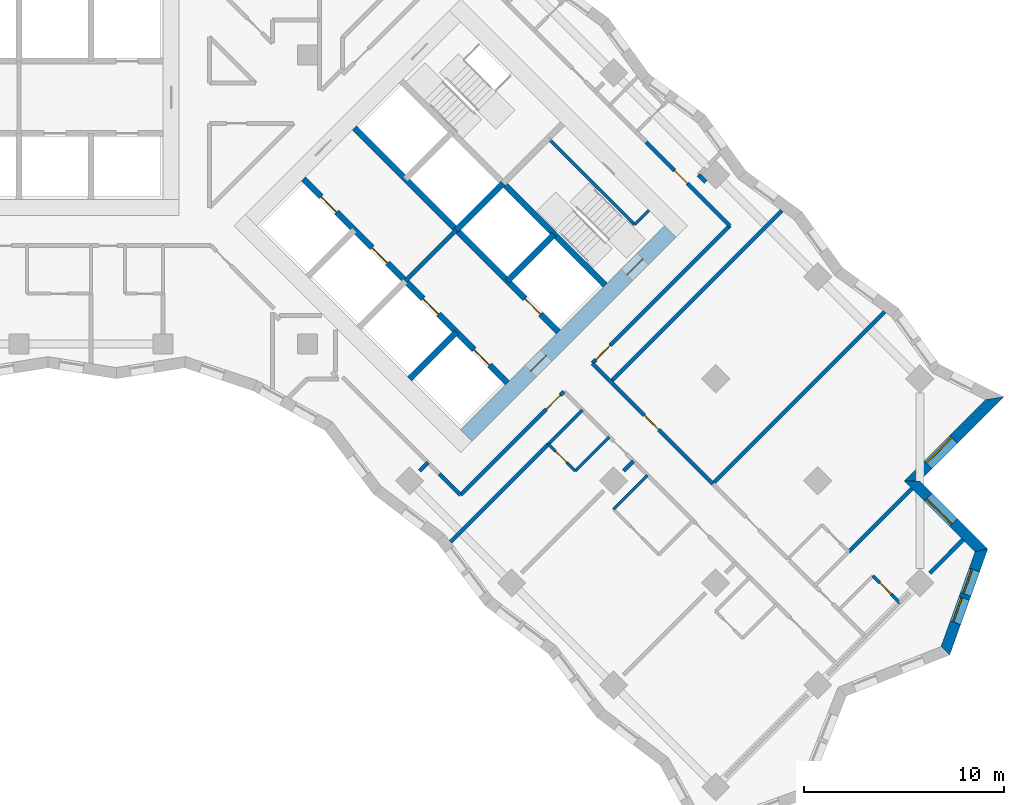
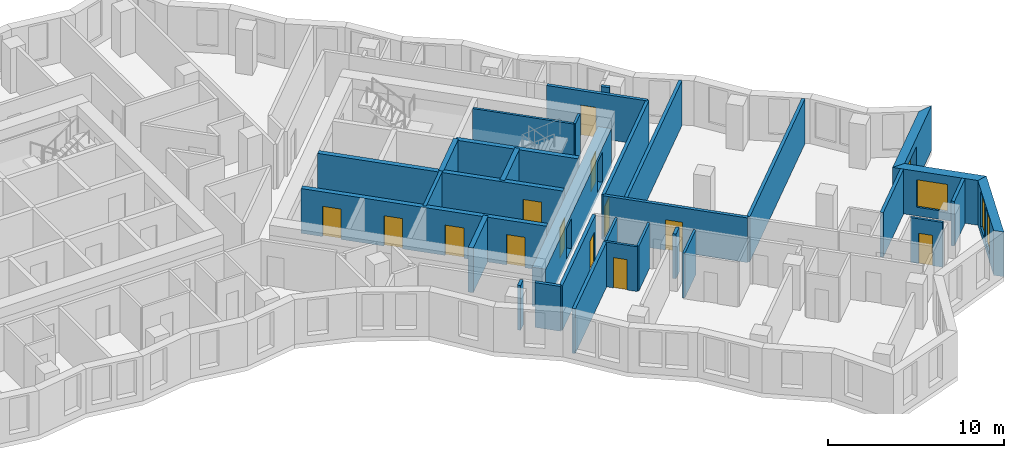
# One storey, part 9 of 13: 31 walls, 13 doors, 4 windows, 17 openings.
"""IFC4 building model written with IfcOpenShell, lengths in metres."""

from ifc_helpers import new_model, si_unit, direction, frame, frame_2d, origin, place, context, subcontext, project, spatial, polyline, rectangle, outline, extrude, material, layer, layer_set, type_object, element, fill, save


model = new_model("IFC4")

# Units and contexts
model_context = context("Model", 3, precision=1e-05, world=origin(), true_north=direction((0.0, 1.0)))
body_context = subcontext(model_context, "Body", "Model", "MODEL_VIEW")
ifc_project = project(units=[si_unit("LENGTHUNIT", "METRE"), si_unit("AREAUNIT", "SQUARE_METRE"), si_unit("VOLUMEUNIT", "CUBIC_METRE"), si_unit("PLANEANGLEUNIT", "RADIAN"), si_unit("MASSUNIT", "GRAM", prefix="KILO")], contexts=[model_context])

# Site, building, storey
site_placement = place(None, origin())
site = spatial("IfcSite", under=ifc_project, at=site_placement, CompositionType="ELEMENT")
building_placement = place(site_placement, origin())
building = spatial("IfcBuilding", under=site, at=building_placement, Name="Windrow Commons", CompositionType="ELEMENT")
storey_placement = place(building_placement, frame((0.0, 0.0, 108.4)))
storey = spatial("IfcBuildingStorey", under=building, at=storey_placement, Name="L29", CompositionType="ELEMENT", Elevation=108.4)

# Wall, openings, windows
ifc_material_1 = material(Name="Brick masonry, red clay brick", Category="masonry")
ifc_layer_1 = layer(ifc_material_1, 0.55)
ifc_layer_set_1 = layer_set([ifc_layer_1], Name="Brick facade wall 550")
wall_type_1 = type_object("IfcWallType", Name="Brick facade wall 550", PredefinedType="SOLIDWALL", material=ifc_layer_set_1)
wall_1_placement = place(storey_placement, frame((111.0253, 27.8846, 0.0), z_axis=(0.0, 0.0, 1.0), x_axis=(0.3376911299, 0.9412569791, 0.0)))
wall_1 = element("IfcWall", 1, at=wall_1_placement, inside=storey, type_object=wall_type_1, Name="Brick facade wall L29 4", PredefinedType="SOLIDWALL", context=body_context, shape_type="SweptSolid", body=[
    extrude(outline(polyline([(-0.1243, -0.275), (5.499, -0.275), (5.1504, 0.275), (0.1243, 0.275), (-0.1243, -0.275)])), origin(), (0.0, 0.0, 1.0), 3.1),
])
opening_1_placement = place(wall_1_placement, frame((1.4849, 0.0, 0.5)))
opening_1 = element("IfcOpeningElement", 2, at=opening_1_placement, cuts=wall_1, Name="Opening W1P", PredefinedType="OPENING", context=body_context, shape_type="SweptSolid", body=[
    extrude(rectangle(XDim=1.3, YDim=2.45, at=frame_2d((0.65, 1.225))), frame((0.0, 0.285, 0.0), z_axis=(0.0, -1.0, 0.0), x_axis=(1.0, 0.0, 0.0)), (0.0, 0.0, 1.0), 0.57),
])
opening_2_placement = place(wall_1_placement, frame((2.9849, 0.0, 0.5)))
opening_2 = element("IfcOpeningElement", 3, at=opening_2_placement, cuts=wall_1, Name="Opening W1P", PredefinedType="OPENING", context=body_context, shape_type="SweptSolid", body=[
    extrude(rectangle(XDim=1.3, YDim=2.45, at=frame_2d((0.65, 1.225))), frame((0.0, 0.285, 0.0), z_axis=(0.0, -1.0, 0.0), x_axis=(1.0, 0.0, 0.0)), (0.0, 0.0, 1.0), 0.57),
])
ifc_material_2 = material(Name="Clear float glass in anodised aluminium frame", Category="aluminium")
window_type_1 = type_object("IfcWindowType", Name="Window W1P pair 1300x2450", PartitioningType="SINGLE_PANEL", PredefinedType="WINDOW", material=ifc_material_2)
window_1_placement = place(opening_1_placement, origin())
window_1 = element("IfcWindow", 4, at=window_1_placement, inside=storey, type_object=window_type_1, Name="Window L29 4.1A", OverallHeight=2.45, OverallWidth=1.3, PartitioningType="SINGLE_PANEL", PredefinedType="WINDOW", context=body_context, shape_type="SweptSolid", body=[
    extrude(rectangle(XDim=1.3, YDim=2.45, at=frame_2d((0.65, 1.225))), frame((0.0, 0.155, 0.0), z_axis=(0.0, -1.0, 0.0), x_axis=(1.0, 0.0, 0.0)), (0.0, 0.0, 1.0), 0.06),
])
fill(opening_1, window_1)
window_2_placement = place(opening_2_placement, origin())
window_2 = element("IfcWindow", 5, at=window_2_placement, inside=storey, type_object=window_type_1, Name="Window L29 4.1B", OverallHeight=2.45, OverallWidth=1.3, PartitioningType="SINGLE_PANEL", PredefinedType="WINDOW", context=body_context, shape_type="SweptSolid", body=[
    extrude(rectangle(XDim=1.3, YDim=2.45, at=frame_2d((0.65, 1.225))), frame((0.0, 0.155, 0.0), z_axis=(0.0, -1.0, 0.0), x_axis=(1.0, 0.0, 0.0)), (0.0, 0.0, 1.0), 0.06),
])
fill(opening_2, window_2)

# Wall, opening, window
wall_2_placement = place(storey_placement, frame((112.8234, 32.8965, 0.0), z_axis=(0.0, 0.0, 1.0), x_axis=(-0.7071067812, 0.7071067812, 0.0)))
wall_2 = element("IfcWall", 6, at=wall_2_placement, inside=storey, type_object=wall_type_1, Name="Brick facade wall L29 5", PredefinedType="SOLIDWALL", context=body_context, shape_type="SweptSolid", body=[
    extrude(outline(polyline([(-0.1743, -0.275), (4.6257, -0.275), (5.1757, 0.275), (0.1743, 0.275), (-0.1743, -0.275)])), origin(), (0.0, 0.0, 1.0), 3.1),
])
opening_3_placement = place(wall_2_placement, frame((1.9632, 0.0, 0.6)))
opening_3 = element("IfcOpeningElement", 7, at=opening_3_placement, cuts=wall_2, Name="Opening W1L", PredefinedType="OPENING", context=body_context, shape_type="SweptSolid", body=[
    extrude(rectangle(XDim=1.8, YDim=1.9, at=frame_2d((0.9, 0.95))), frame((0.0, 0.285, 0.0), z_axis=(0.0, -1.0, 0.0), x_axis=(1.0, 0.0, 0.0)), (0.0, 0.0, 1.0), 0.57),
])
ifc_material_3 = material(Name="Clear float glass in anodised aluminium frame", Category="aluminium")
window_type_2 = type_object("IfcWindowType", Name="Window W1L bedroom 1800x1900", PartitioningType="SINGLE_PANEL", PredefinedType="WINDOW", material=ifc_material_3)
window_3_placement = place(opening_3_placement, origin())
window_3 = element("IfcWindow", 8, at=window_3_placement, inside=storey, type_object=window_type_2, Name="Window L29 5.1", OverallHeight=1.9, OverallWidth=1.8, PartitioningType="SINGLE_PANEL", PredefinedType="WINDOW", context=body_context, shape_type="SweptSolid", body=[
    extrude(rectangle(XDim=1.8, YDim=1.9, at=frame_2d((0.9, 0.95))), frame((0.0, 0.155, 0.0), z_axis=(0.0, -1.0, 0.0), x_axis=(1.0, 0.0, 0.0)), (0.0, 0.0, 1.0), 0.06),
])
fill(opening_3, window_3)

wall_3_placement = place(storey_placement, frame((109.3581, 36.3618, 0.0), z_axis=(0.0, 0.0, 1.0), x_axis=(0.7071067812, 0.7071067812, 0.0)))
wall_3 = element("IfcWall", 9, at=wall_3_placement, inside=storey, type_object=wall_type_1, Name="Brick facade wall L29 6", PredefinedType="SOLIDWALL", context=body_context, shape_type="SweptSolid", body=[
    extrude(outline(polyline([(0.275, -0.275), (6.217, -0.275), (5.4529, 0.275), (-0.275, 0.275), (0.275, -0.275)])), origin(), (0.0, 0.0, 1.0), 3.1),
])
opening_4_placement = place(wall_3_placement, frame((1.1375, 0.0, 0.6)))
opening_4 = element("IfcOpeningElement", 10, at=opening_4_placement, cuts=wall_3, Name="Opening W1L", PredefinedType="OPENING", context=body_context, shape_type="SweptSolid", body=[
    extrude(rectangle(XDim=1.8, YDim=1.9, at=frame_2d((0.9, 0.95))), frame((0.0, 0.285, 0.0), z_axis=(0.0, -1.0, 0.0), x_axis=(1.0, 0.0, 0.0)), (0.0, 0.0, 1.0), 0.57),
])
window_4_placement = place(opening_4_placement, origin())
window_4 = element("IfcWindow", 11, at=window_4_placement, inside=storey, type_object=window_type_2, Name="Window L29 6.1", OverallHeight=1.9, OverallWidth=1.8, PartitioningType="SINGLE_PANEL", PredefinedType="WINDOW", context=body_context, shape_type="SweptSolid", body=[
    extrude(rectangle(XDim=1.8, YDim=1.9, at=frame_2d((0.9, 0.95))), frame((0.0, 0.155, 0.0), z_axis=(0.0, -1.0, 0.0), x_axis=(1.0, 0.0, 0.0)), (0.0, 0.0, 1.0), 0.06),
])
fill(opening_4, window_4)

# Wall
ifc_material_4 = material(Name="Blockwork partition", Category="masonry")
ifc_layer_2 = layer(ifc_material_4, 0.2)
ifc_layer_set_2 = layer_set([ifc_layer_2], Name="Fire lobby partition 200")
wall_type_2 = type_object("IfcWallType", Name="Fire lobby partition 200", PredefinedType="PARTITIONING", material=ifc_layer_set_2)
wall_4_placement = place(storey_placement, frame((84.079, 46.332, 0.0), z_axis=(0.0, 0.0, 1.0), x_axis=(0.7071067812, 0.7071067812, 0.0)))
element("IfcWall", 12, at=wall_4_placement, inside=storey, type_object=wall_type_2, Name="W-core-lobby-B-L29", PredefinedType="PARTITIONING", context=body_context, shape_type="SweptSolid", body=[
    extrude(rectangle(XDim=3.6, YDim=0.2, at=frame_2d((1.8, 0.0))), origin(), (0.0, 0.0, 1.0), 3.1),
])

# Wall, opening, door
ifc_material_5 = material(Name="Blockwork partition", Category="masonry")
ifc_layer_3 = layer(ifc_material_5, 0.2)
ifc_layer_set_3 = layer_set([ifc_layer_3], Name="IW-CORRIDOR-200")
wall_type_3 = type_object("IfcWallType", Name="IW-CORRIDOR-200", PredefinedType="PARTITIONING", material=ifc_layer_set_3)
wall_5_placement = place(storey_placement, frame((93.4132, 42.2328, 0.0), z_axis=(0.0, 0.0, 1.0), x_axis=(0.7071067812, 0.7071067812, 0.0)))
wall_5 = element("IfcWall", 13, at=wall_5_placement, inside=storey, type_object=wall_type_3, Name="W-L29-W013", PredefinedType="PARTITIONING", context=body_context, shape_type="SweptSolid", body=[
    extrude(rectangle(XDim=9.6987, YDim=0.2, at=frame_2d((4.8494, 0.0))), origin(), (0.0, 0.0, 1.0), 3.1),
])
opening_5_placement = place(wall_5_placement, frame((0.2494, 0.0, 0.0)))
opening_5 = element("IfcOpeningElement", 14, at=opening_5_placement, cuts=wall_5, Name="Opening D310F", PredefinedType="OPENING", context=body_context, shape_type="SweptSolid", body=[
    extrude(rectangle(XDim=1.0, YDim=2.1, at=frame_2d((0.5, 1.05))), frame((0.0, 0.11, 0.0), z_axis=(0.0, -1.0, 0.0), x_axis=(1.0, 0.0, 0.0)), (0.0, 0.0, 1.0), 0.22),
])
ifc_material_6 = material(Name="Timber door leaf", Category="wood")
door_type_1 = type_object("IfcDoorType", Name="DT-AMENITY-1000", OperationType="SINGLE_SWING_LEFT", PredefinedType="DOOR", material=ifc_material_6)
door_1_placement = place(opening_5_placement, origin())
door_1 = element("IfcDoor", 15, at=door_1_placement, inside=storey, type_object=door_type_1, Name="D-L29-D042", OperationType="SINGLE_SWING_LEFT", OverallHeight=2.1, OverallWidth=1.0, PredefinedType="DOOR", context=body_context, shape_type="SweptSolid", body=[
    extrude(rectangle(XDim=1.0, YDim=2.1, at=frame_2d((0.5, 1.05))), frame((0.0, 0.025, 0.0), z_axis=(0.0, -1.0, 0.0), x_axis=(1.0, 0.0, 0.0)), (0.0, 0.0, 1.0), 0.05),
])
fill(opening_5, door_1)

wall_6_placement = place(storey_placement, frame((93.4106, 42.2266, 0.0), z_axis=(0.0, 0.0, 1.0), x_axis=(0.7071067812, -0.7071067812, 0.0)))
wall_6 = element("IfcWall", 16, at=wall_6_placement, inside=storey, type_object=wall_type_3, Name="W-L29-W017", PredefinedType="PARTITIONING", context=body_context, shape_type="SweptSolid", body=[
    extrude(rectangle(XDim=8.4994, YDim=0.2, at=frame_2d((4.2497, 0.0))), origin(), (0.0, 0.0, 1.0), 3.1),
])
opening_6_placement = place(wall_6_placement, frame((3.6724, 0.0, 0.0)))
opening_6 = element("IfcOpeningElement", 17, at=opening_6_placement, cuts=wall_6, Name="Opening D310F", PredefinedType="OPENING", context=body_context, shape_type="SweptSolid", body=[
    extrude(rectangle(XDim=1.0, YDim=2.1, at=frame_2d((0.5, 1.05))), frame((0.0, 0.11, 0.0), z_axis=(0.0, -1.0, 0.0), x_axis=(1.0, 0.0, 0.0)), (0.0, 0.0, 1.0), 0.22),
])
door_2_placement = place(opening_6_placement, origin())
door_2 = element("IfcDoor", 18, at=door_2_placement, inside=storey, type_object=door_type_1, Name="D-L29-D043", OperationType="SINGLE_SWING_RIGHT", OverallHeight=2.1, OverallWidth=1.0, PredefinedType="DOOR", context=body_context, shape_type="SweptSolid", body=[
    extrude(rectangle(XDim=1.0, YDim=2.1, at=frame_2d((0.5, 1.05))), frame((0.0, 0.025, 0.0), z_axis=(0.0, -1.0, 0.0), x_axis=(1.0, 0.0, 0.0)), (0.0, 0.0, 1.0), 0.05),
])
fill(opening_6, door_2)

wall_7_placement = place(storey_placement, frame((86.8352, 35.6548, 0.0), z_axis=(0.0, 0.0, 1.0), x_axis=(0.7071067812, 0.7071067812, 0.0)))
wall_7 = element("IfcWall", 19, at=wall_7_placement, inside=storey, type_object=wall_type_3, Name="W-L29-W019", PredefinedType="PARTITIONING", context=body_context, shape_type="SweptSolid", body=[
    extrude(rectangle(XDim=7.3002, YDim=0.2, at=frame_2d((3.6501, 0.0))), origin(), (0.0, 0.0, 1.0), 3.1),
])
opening_7_placement = place(wall_7_placement, frame((6.0463, 0.0, 0.0)))
opening_7 = element("IfcOpeningElement", 20, at=opening_7_placement, cuts=wall_7, Name="Opening D310F", PredefinedType="OPENING", context=body_context, shape_type="SweptSolid", body=[
    extrude(rectangle(XDim=1.0, YDim=2.1, at=frame_2d((0.5, 1.05))), frame((0.0, 0.11, 0.0), z_axis=(0.0, -1.0, 0.0), x_axis=(1.0, 0.0, 0.0)), (0.0, 0.0, 1.0), 0.22),
])
door_3_placement = place(opening_7_placement, origin())
door_3 = element("IfcDoor", 21, at=door_3_placement, inside=storey, type_object=door_type_1, Name="D-L29-D046", OperationType="SINGLE_SWING_RIGHT", OverallHeight=2.1, OverallWidth=1.0, PredefinedType="DOOR", context=body_context, shape_type="SweptSolid", body=[
    extrude(rectangle(XDim=1.0, YDim=2.1, at=frame_2d((0.5, 1.05))), frame((0.0, 0.025, 0.0), z_axis=(0.0, -1.0, 0.0), x_axis=(1.0, 0.0, 0.0)), (0.0, 0.0, 1.0), 0.05),
])
fill(opening_7, door_3)

wall_8_placement = place(storey_placement, frame((96.0965, 53.2585, 0.0), z_axis=(0.0, 0.0, 1.0), x_axis=(0.7071067812, -0.7071067812, 0.0)))
wall_8 = element("IfcWall", 22, at=wall_8_placement, inside=storey, type_object=wall_type_3, Name="W-L29-W029", PredefinedType="PARTITIONING", context=body_context, shape_type="SweptSolid", body=[
    extrude(rectangle(XDim=5.9001, YDim=0.2, at=frame_2d((2.9501, 0.0))), origin(), (0.0, 0.0, 1.0), 3.1),
])
opening_8_placement = place(wall_8_placement, frame((2.0065, 0.0, 0.0)))
opening_8 = element("IfcOpeningElement", 23, at=opening_8_placement, cuts=wall_8, Name="Opening D109S", PredefinedType="OPENING", context=body_context, shape_type="SweptSolid", body=[
    extrude(rectangle(XDim=0.9, YDim=2.1, at=frame_2d((0.45, 1.05))), frame((0.0, 0.11, 0.0), z_axis=(0.0, -1.0, 0.0), x_axis=(1.0, 0.0, 0.0)), (0.0, 0.0, 1.0), 0.22),
])
ifc_material_7 = material(Name="Timber door leaf", Category="wood")
door_type_2 = type_object("IfcDoorType", Name="DT-BEDROOM-900", OperationType="SINGLE_SWING_LEFT", PredefinedType="DOOR", material=ifc_material_7)
door_4_placement = place(opening_8_placement, origin())
door_4 = element("IfcDoor", 24, at=door_4_placement, inside=storey, type_object=door_type_2, Name="D-L29-D039", OperationType="SINGLE_SWING_LEFT", OverallHeight=2.1, OverallWidth=0.9, PredefinedType="DOOR", context=body_context, shape_type="SweptSolid", body=[
    extrude(rectangle(XDim=0.9, YDim=2.1, at=frame_2d((0.45, 1.05))), frame((0.0, 0.025, 0.0), z_axis=(0.0, -1.0, 0.0), x_axis=(1.0, 0.0, 0.0)), (0.0, 0.0, 1.0), 0.05),
])
fill(opening_8, door_4)

# Walls
wall_9_placement = place(storey_placement, frame((85.7777, 36.7177, 0.0), z_axis=(0.0, 0.0, 1.0), x_axis=(0.7064400143, -0.70777292, 0.0)))
element("IfcWall", 25, at=wall_9_placement, inside=storey, type_object=wall_type_3, Name="W-L29-W132", PredefinedType="PARTITIONING", context=body_context, shape_type="SweptSolid", body=[
    extrude(rectangle(XDim=1.5005, YDim=0.2, at=frame_2d((0.7502, 0.0))), origin(), (0.0, 0.0, 1.0), 3.1),
])
ifc_material_8 = material(Name="Blockwork partition", Category="masonry")
ifc_layer_4 = layer(ifc_material_8, 0.15)
ifc_layer_set_4 = layer_set([ifc_layer_4], Name="IW-ENSUITE-150")
wall_type_4 = type_object("IfcWallType", Name="IW-ENSUITE-150", PredefinedType="PARTITIONING", material=ifc_layer_set_4)
for number, where, z_axis, x_axis, name in (
    (26, (92.5629, 36.8571, 0.0), (0.0, 0.0, 1.0), (0.7071067812, 0.7071067812, 0.0), "W-L29-W064"),
    (27, (91.2194, 38.2006, 0.0), (0.0, 0.0, 1.0), (0.7071067812, 0.7071067812, 0.0), "W-L29-W065"),
):
    element("IfcWall", number, at=place(storey_placement, frame(where, z_axis=z_axis, x_axis=x_axis)), inside=storey, type_object=wall_type_4, Name=name, PredefinedType="PARTITIONING", context=body_context, shape_type="SweptSolid", body=[
        extrude(rectangle(XDim=2.4013, YDim=0.15, at=frame_2d((1.2006, 0.0))), origin(), (0.0, 0.0, 1.0), 3.1),
    ])
wall_10_placement = place(storey_placement, frame((94.4731, 34.9489, 0.0), z_axis=(0.0, 0.0, 1.0), x_axis=(0.7071067812, 0.7071067812, 0.0)))
element("IfcWall", 28, at=wall_10_placement, inside=storey, type_object=wall_type_4, Name="W-L29-W095", PredefinedType="PARTITIONING", context=body_context, shape_type="SweptSolid", body=[
    extrude(rectangle(XDim=2.3985, YDim=0.15, at=frame_2d((1.1992, 0.0))), origin(), (0.0, 0.0, 1.0), 3.1),
])

# Wall, opening, door
wall_11_placement = place(storey_placement, frame((107.4107, 31.6207, 0.0), z_axis=(0.0, 0.0, 1.0), x_axis=(0.7071067812, -0.7071067812, 0.0)))
wall_11 = element("IfcWall", 29, at=wall_11_placement, inside=storey, type_object=wall_type_4, Name="W-L29-W116", PredefinedType="PARTITIONING", context=body_context, shape_type="SweptSolid", body=[
    extrude(rectangle(XDim=1.9007, YDim=0.15, at=frame_2d((0.9504, 0.0))), origin(), (0.0, 0.0, 1.0), 3.1),
])
opening_9_placement = place(wall_11_placement, frame((0.4926, 0.0, 0.0)))
opening_9 = element("IfcOpeningElement", 30, at=opening_9_placement, cuts=wall_11, Name="Opening D208N", PredefinedType="OPENING", context=body_context, shape_type="SweptSolid", body=[
    extrude(rectangle(XDim=0.8, YDim=2.1, at=frame_2d((0.4, 1.05))), frame((0.0, 0.085, 0.0), z_axis=(0.0, -1.0, 0.0), x_axis=(1.0, 0.0, 0.0)), (0.0, 0.0, 1.0), 0.17),
])
ifc_material_9 = material(Name="Timber door leaf", Category="wood")
door_type_3 = type_object("IfcDoorType", Name="DT-ENSUITE-800", OperationType="SINGLE_SWING_LEFT", PredefinedType="DOOR", material=ifc_material_9)
door_5_placement = place(opening_9_placement, origin())
door_5 = element("IfcDoor", 31, at=door_5_placement, inside=storey, type_object=door_type_3, Name="D-L29-D054", OperationType="SINGLE_SWING_RIGHT", OverallHeight=2.1, OverallWidth=0.8, PredefinedType="DOOR", context=body_context, shape_type="SweptSolid", body=[
    extrude(rectangle(XDim=0.8, YDim=2.1, at=frame_2d((0.4, 1.05))), frame((0.0, 0.025, 0.0), z_axis=(0.0, -1.0, 0.0), x_axis=(1.0, 0.0, 0.0)), (0.0, 0.0, 1.0), 0.05),
])
fill(opening_9, door_5)

wall_12_placement = place(storey_placement, frame((91.2173, 38.1973, 0.0), z_axis=(0.0, 0.0, 1.0), x_axis=(0.7071067812, -0.7071067812, 0.0)))
wall_12 = element("IfcWall", 32, at=wall_12_placement, inside=storey, type_object=wall_type_4, Name="W-L29-W118", PredefinedType="PARTITIONING", context=body_context, shape_type="SweptSolid", body=[
    extrude(rectangle(XDim=1.9007, YDim=0.15, at=frame_2d((0.9504, 0.0))), origin(), (0.0, 0.0, 1.0), 3.1),
])
opening_10_placement = place(wall_12_placement, frame((0.5024, 0.0, 0.0)))
opening_10 = element("IfcOpeningElement", 33, at=opening_10_placement, cuts=wall_12, Name="Opening D208N", PredefinedType="OPENING", context=body_context, shape_type="SweptSolid", body=[
    extrude(rectangle(XDim=0.8, YDim=2.1, at=frame_2d((0.4, 1.05))), frame((0.0, 0.085, 0.0), z_axis=(0.0, -1.0, 0.0), x_axis=(1.0, 0.0, 0.0)), (0.0, 0.0, 1.0), 0.17),
])
door_6_placement = place(opening_10_placement, origin())
door_6 = element("IfcDoor", 34, at=door_6_placement, inside=storey, type_object=door_type_3, Name="D-L29-D048", OperationType="SINGLE_SWING_RIGHT", OverallHeight=2.1, OverallWidth=0.8, PredefinedType="DOOR", context=body_context, shape_type="SweptSolid", body=[
    extrude(rectangle(XDim=0.8, YDim=2.1, at=frame_2d((0.4, 1.05))), frame((0.0, 0.025, 0.0), z_axis=(0.0, -1.0, 0.0), x_axis=(1.0, 0.0, 0.0)), (0.0, 0.0, 1.0), 0.05),
])
fill(opening_10, door_6)

# Walls
ifc_material_10 = material(Name="Blockwork partition", Category="masonry")
ifc_layer_5 = layer(ifc_material_10, 0.2)
ifc_layer_set_5 = layer_set([ifc_layer_5], Name="IW-PARTY-200")
wall_type_5 = type_object("IfcWallType", Name="IW-PARTY-200", PredefinedType="PARTITIONING", material=ifc_layer_set_5)
wall_13_placement = place(storey_placement, frame((99.4226, 36.2214, 0.0), z_axis=(0.0, 0.0, 1.0), x_axis=(0.7071067812, 0.7071067812, 0.0)))
element("IfcWall", 35, at=wall_13_placement, inside=storey, type_object=wall_type_5, Name="W-L29-W006", PredefinedType="PARTITIONING", context=body_context, shape_type="SweptSolid", body=[
    extrude(rectangle(XDim=12.1249, YDim=0.2, at=frame_2d((6.0625, 0.0))), origin(), (0.0, 0.0, 1.0), 3.1),
])
wall_14_placement = place(storey_placement, frame((94.3314, 41.3126, 0.0), z_axis=(0.0, 0.0, 1.0), x_axis=(0.7071109253, 0.7071026371, 0.0)))
element("IfcWall", 36, at=wall_14_placement, inside=storey, type_object=wall_type_5, Name="W-L29-W007", PredefinedType="PARTITIONING", context=body_context, shape_type="SweptSolid", body=[
    extrude(rectangle(XDim=12.0653, YDim=0.2, at=frame_2d((6.0327, 0.0))), origin(), (0.0, 0.0, 1.0), 3.1),
])
wall_15_placement = place(storey_placement, frame((86.334, 33.3119, 0.0), z_axis=(0.0, 0.0, 1.0), x_axis=(0.7069693124, 0.7072442232, 0.0)))
element("IfcWall", 37, at=wall_15_placement, inside=storey, type_object=wall_type_5, Name="W-L29-W022", PredefinedType="PARTITIONING", context=body_context, shape_type="SweptSolid", body=[
    extrude(rectangle(XDim=6.9113, YDim=0.2, at=frame_2d((3.4556, 0.0))), origin(), (0.0, 0.0, 1.0), 3.1),
])
wall_16_placement = place(storey_placement, frame((106.2108, 32.8272, 0.0), z_axis=(0.0, 0.0, 1.0), x_axis=(0.7071067812, 0.7071067812, 0.0)))
element("IfcWall", 38, at=wall_16_placement, inside=storey, type_object=wall_type_5, Name="W-L29-W047", PredefinedType="PARTITIONING", context=body_context, shape_type="SweptSolid", body=[
    extrude(rectangle(XDim=4.4498, YDim=0.2, at=frame_2d((2.2249, 0.0))), origin(), (0.0, 0.0, 1.0), 3.1),
])
wall_17_placement = place(storey_placement, frame((110.2515, 31.7666, 0.0), z_axis=(0.0, 0.0, 1.0), x_axis=(0.7066584143, 0.7075548639, 0.0)))
element("IfcWall", 39, at=wall_17_placement, inside=storey, type_object=wall_type_5, Name="W-L29-W099", PredefinedType="PARTITIONING", context=body_context, shape_type="SweptSolid", body=[
    extrude(rectangle(XDim=2.3426, YDim=0.2, at=frame_2d((1.1713, 0.0))), origin(), (0.0, 0.0, 1.0), 3.1),
])
wall_18_placement = place(storey_placement, frame((94.973, 36.863, 0.0), z_axis=(0.0, 0.0, 1.0), x_axis=(0.7071067812, 0.7071067812, 0.0)))
element("IfcWall", 40, at=wall_18_placement, inside=storey, type_object=wall_type_5, Name="W-L29-W146", PredefinedType="PARTITIONING", context=body_context, shape_type="SweptSolid", body=[
    extrude(rectangle(XDim=0.693, YDim=0.2, at=frame_2d((0.3465, 0.0))), origin(), (0.0, 0.0, 1.0), 3.1),
])
wall_19_placement = place(storey_placement, frame((84.7942, 36.8598, 0.0), z_axis=(0.0, 0.0, 1.0), x_axis=(0.7054171665, 0.7087923682, 0.0)))
element("IfcWall", 41, at=wall_19_placement, inside=storey, type_object=wall_type_5, Name="W-L29-W152", PredefinedType="PARTITIONING", context=body_context, shape_type="SweptSolid", body=[
    extrude(rectangle(XDim=0.5926, YDim=0.2, at=frame_2d((0.2963, 0.0))), origin(), (0.0, 0.0, 1.0), 3.1),
])
wall_20_placement = place(storey_placement, frame((98.7125, 51.6325, 0.0), z_axis=(0.0, 0.0, 1.0), x_axis=(0.7071067812, -0.7071067812, 0.0)))
element("IfcWall", 42, at=wall_20_placement, inside=storey, type_object=wall_type_5, Name="W-L29-W154", PredefinedType="PARTITIONING", context=body_context, shape_type="SweptSolid", body=[
    extrude(rectangle(XDim=0.4978, YDim=0.2, at=frame_2d((0.2489, 0.0))), origin(), (0.0, 0.0, 1.0), 3.1),
])

# Wall, openings, doors
ifc_material_11 = material(Name="Concrete C50/60", Category="concrete")
ifc_layer_6 = layer(ifc_material_11, 0.8)
ifc_layer_set_6 = layer_set([ifc_layer_6], Name="RC CORE WALL 800 C50/60")
wall_type_6 = type_object("IfcWallType", Name="RC CORE WALL 800 C50/60", PredefinedType="SHEAR", material=ifc_layer_set_6)
wall_21_placement = place(storey_placement, frame((87.1196, 38.6246, -0.3), z_axis=(0.0, 0.0, 1.0), x_axis=(0.7071067812, 0.7071067812, 0.0)))
wall_21 = element("IfcWall", 43, at=wall_21_placement, inside=storey, type_object=wall_type_6, Name="Core B wall outer-E", PredefinedType="SHEAR", context=body_context, shape_type="SweptSolid", body=[
    extrude(rectangle(XDim=14.3999, YDim=0.8, at=frame_2d((7.2, 0.0))), origin(), (0.0, 0.0, 1.0), 2.7),
])
opening_11_placement = place(wall_21_placement, frame((4.55, 0.0, 0.3)))
opening_11 = element("IfcOpeningElement", 44, at=opening_11_placement, cuts=wall_21, Name="Opening D6", PredefinedType="OPENING", context=body_context, shape_type="SweptSolid", body=[
    extrude(rectangle(XDim=1.1, YDim=2.1, at=frame_2d((0.55, 1.05))), frame((0.0, 0.41, 0.0), z_axis=(0.0, -1.0, 0.0), x_axis=(1.0, 0.0, 0.0)), (0.0, 0.0, 1.0), 0.82),
])
opening_12_placement = place(wall_21_placement, frame((11.35, 0.0, 0.3)))
opening_12 = element("IfcOpeningElement", 45, at=opening_12_placement, cuts=wall_21, Name="Opening D7", PredefinedType="OPENING", context=body_context, shape_type="SweptSolid", body=[
    extrude(rectangle(XDim=1.1, YDim=2.1, at=frame_2d((0.55, 1.05))), frame((0.0, 0.41, 0.0), z_axis=(0.0, -1.0, 0.0), x_axis=(1.0, 0.0, 0.0)), (0.0, 0.0, 1.0), 0.82),
])
ifc_material_12 = material(Name="Steel fire door leaf", Category="steel")
door_type_4 = type_object("IfcDoorType", Name="Core lobby door 1100", OperationType="SINGLE_SWING_LEFT", PredefinedType="DOOR", material=ifc_material_12)
door_7_placement = place(opening_11_placement, origin())
door_7 = element("IfcDoor", 46, at=door_7_placement, inside=storey, type_object=door_type_4, Name="Lift lobby door", OperationType="DOUBLE_DOOR_SINGLE_SWING", OverallHeight=2.1, OverallWidth=1.1, PredefinedType="DOOR", context=body_context, shape_type="SweptSolid", body=[
    extrude(rectangle(XDim=1.1, YDim=2.1, at=frame_2d((0.55, 1.05))), frame((0.0, 0.025, 0.0), z_axis=(0.0, -1.0, 0.0), x_axis=(1.0, 0.0, 0.0)), (0.0, 0.0, 1.0), 0.05),
])
fill(opening_11, door_7)
ifc_material_13 = material(Name="Steel fire door leaf", Category="steel")
door_type_5 = type_object("IfcDoorType", Name="Stair door 1100", OperationType="SINGLE_SWING_LEFT", PredefinedType="DOOR", material=ifc_material_13)
door_8_placement = place(opening_12_placement, origin())
door_8 = element("IfcDoor", 47, at=door_8_placement, inside=storey, type_object=door_type_5, Name="Stair door", OperationType="SINGLE_SWING_RIGHT", OverallHeight=2.1, OverallWidth=1.1, PredefinedType="DOOR", context=body_context, shape_type="SweptSolid", body=[
    extrude(rectangle(XDim=1.1, YDim=2.1, at=frame_2d((0.55, 1.05))), frame((0.0, 0.025, 0.0), z_axis=(0.0, -1.0, 0.0), x_axis=(1.0, 0.0, 0.0)), (0.0, 0.0, 1.0), 0.05),
])
fill(opening_12, door_8)

# Walls
ifc_material_14 = material(Name="Concrete C50/60", Category="concrete")
ifc_layer_7 = layer(ifc_material_14, 0.3)
ifc_layer_set_7 = layer_set([ifc_layer_7], Name="RC SHAFT WALL 300 C50/60")
wall_type_7 = type_object("IfcWallType", Name="RC SHAFT WALL 300 C50/60", PredefinedType="SOLIDWALL", material=ifc_layer_set_7)
wall_22_placement = place(storey_placement, frame((86.6246, 48.8776, 0.0), z_axis=(0.0, 0.0, 1.0), x_axis=(0.7071067812, 0.7071067812, 0.0)))
element("IfcWall", 48, at=wall_22_placement, inside=storey, type_object=wall_type_7, Name="Core B wall shaft-N2", PredefinedType="SOLIDWALL", context=body_context, shape_type="SweptSolid", body=[
    extrude(rectangle(XDim=3.3001, YDim=0.3, at=frame_2d((1.6501, 0.0))), origin(), (0.0, 0.0, 1.0), 3.1),
])
wall_23_placement = place(storey_placement, frame((84.2912, 41.453, 0.0), z_axis=(0.0, 0.0, 1.0), x_axis=(0.7071067812, 0.7071067812, 0.0)))
element("IfcWall", 49, at=wall_23_placement, inside=storey, type_object=wall_type_7, Name="Core B wall shaft-S3", PredefinedType="SOLIDWALL", context=body_context, shape_type="SweptSolid", body=[
    extrude(rectangle(XDim=3.2999, YDim=0.3, at=frame_2d((1.65, 0.0))), origin(), (0.0, 0.0, 1.0), 3.1),
])
wall_24_placement = place(storey_placement, frame((89.1702, 46.332, 0.0), z_axis=(0.0, 0.0, 1.0), x_axis=(0.7071067812, 0.7071067812, 0.0)))
element("IfcWall", 50, at=wall_24_placement, inside=storey, type_object=wall_type_7, Name="Core B wall shaft-N3", PredefinedType="SOLIDWALL", context=body_context, shape_type="SweptSolid", body=[
    extrude(rectangle(XDim=3.3001, YDim=0.3, at=frame_2d((1.6501, 0.0))), origin(), (0.0, 0.0, 1.0), 3.1),
])

# Wall, openings, doors
wall_25_placement = place(storey_placement, frame((78.9879, 51.4232, 0.0), z_axis=(0.0, 0.0, 1.0), x_axis=(0.7071067812, -0.7071067812, 0.0)))
wall_25 = element("IfcWall", 51, at=wall_25_placement, inside=storey, type_object=wall_type_7, Name="Core B wall lobby-S", PredefinedType="SOLIDWALL", context=body_context, shape_type="SweptSolid", body=[
    extrude(rectangle(XDim=14.3999, YDim=0.3, at=frame_2d((7.2, 0.0))), origin(), (0.0, 0.0, 1.0), 3.1),
])
opening_13_placement = place(wall_25_placement, frame((1.25, 0.0, 0.0)))
opening_13 = element("IfcOpeningElement", 52, at=opening_13_placement, cuts=wall_25, Name="Opening LD", PredefinedType="OPENING", context=body_context, shape_type="SweptSolid", body=[
    extrude(rectangle(XDim=1.1, YDim=2.1, at=frame_2d((0.55, 1.05))), frame((0.0, 0.16, 0.0), z_axis=(0.0, -1.0, 0.0), x_axis=(1.0, 0.0, 0.0)), (0.0, 0.0, 1.0), 0.32),
])
opening_14_placement = place(wall_25_placement, frame((4.85, 0.0, 0.0)))
opening_14 = element("IfcOpeningElement", 53, at=opening_14_placement, cuts=wall_25, Name="Opening LD", PredefinedType="OPENING", context=body_context, shape_type="SweptSolid", body=[
    extrude(rectangle(XDim=1.1, YDim=2.1, at=frame_2d((0.55, 1.05))), frame((0.0, 0.16, 0.0), z_axis=(0.0, -1.0, 0.0), x_axis=(1.0, 0.0, 0.0)), (0.0, 0.0, 1.0), 0.32),
])
opening_15_placement = place(wall_25_placement, frame((8.45, 0.0, 0.0)))
opening_15 = element("IfcOpeningElement", 54, at=opening_15_placement, cuts=wall_25, Name="Opening LD", PredefinedType="OPENING", context=body_context, shape_type="SweptSolid", body=[
    extrude(rectangle(XDim=1.1, YDim=2.1, at=frame_2d((0.55, 1.05))), frame((0.0, 0.16, 0.0), z_axis=(0.0, -1.0, 0.0), x_axis=(1.0, 0.0, 0.0)), (0.0, 0.0, 1.0), 0.32),
])
opening_16_placement = place(wall_25_placement, frame((12.05, 0.0, 0.0)))
opening_16 = element("IfcOpeningElement", 55, at=opening_16_placement, cuts=wall_25, Name="Opening LD", PredefinedType="OPENING", context=body_context, shape_type="SweptSolid", body=[
    extrude(rectangle(XDim=1.1, YDim=2.1, at=frame_2d((0.55, 1.05))), frame((0.0, 0.16, 0.0), z_axis=(0.0, -1.0, 0.0), x_axis=(1.0, 0.0, 0.0)), (0.0, 0.0, 1.0), 0.32),
])
ifc_material_15 = material(Name="Stainless steel door leaf", Category="steel")
door_type_6 = type_object("IfcDoorType", Name="Lift landing door 1100", OperationType="SLIDING_TO_LEFT", PredefinedType="DOOR", material=ifc_material_15)
door_9_placement = place(opening_13_placement, origin())
door_9 = element("IfcDoor", 56, at=door_9_placement, inside=storey, type_object=door_type_6, Name="Lift landing door", OperationType="SLIDING_TO_LEFT", OverallHeight=2.1, OverallWidth=1.1, PredefinedType="DOOR", context=body_context, shape_type="SweptSolid", body=[
    extrude(rectangle(XDim=1.1, YDim=2.1, at=frame_2d((0.55, 1.05))), frame((0.0, 0.025, 0.0), z_axis=(0.0, -1.0, 0.0), x_axis=(1.0, 0.0, 0.0)), (0.0, 0.0, 1.0), 0.05),
])
fill(opening_13, door_9)
door_10_placement = place(opening_14_placement, origin())
door_10 = element("IfcDoor", 57, at=door_10_placement, inside=storey, type_object=door_type_6, Name="Lift landing door", OperationType="SLIDING_TO_RIGHT", OverallHeight=2.1, OverallWidth=1.1, PredefinedType="DOOR", context=body_context, shape_type="SweptSolid", body=[
    extrude(rectangle(XDim=1.1, YDim=2.1, at=frame_2d((0.55, 1.05))), frame((0.0, 0.025, 0.0), z_axis=(0.0, -1.0, 0.0), x_axis=(1.0, 0.0, 0.0)), (0.0, 0.0, 1.0), 0.05),
])
fill(opening_14, door_10)
door_11_placement = place(opening_15_placement, origin())
door_11 = element("IfcDoor", 58, at=door_11_placement, inside=storey, type_object=door_type_6, Name="Lift landing door", OperationType="SLIDING_TO_LEFT", OverallHeight=2.1, OverallWidth=1.1, PredefinedType="DOOR", context=body_context, shape_type="SweptSolid", body=[
    extrude(rectangle(XDim=1.1, YDim=2.1, at=frame_2d((0.55, 1.05))), frame((0.0, 0.025, 0.0), z_axis=(0.0, -1.0, 0.0), x_axis=(1.0, 0.0, 0.0)), (0.0, 0.0, 1.0), 0.05),
])
fill(opening_15, door_11)
door_12_placement = place(opening_16_placement, origin())
door_12 = element("IfcDoor", 59, at=door_12_placement, inside=storey, type_object=door_type_6, Name="Lift landing door", OperationType="SLIDING_TO_RIGHT", OverallHeight=2.1, OverallWidth=1.1, PredefinedType="DOOR", context=body_context, shape_type="SweptSolid", body=[
    extrude(rectangle(XDim=1.1, YDim=2.1, at=frame_2d((0.55, 1.05))), frame((0.0, 0.025, 0.0), z_axis=(0.0, -1.0, 0.0), x_axis=(1.0, 0.0, 0.0)), (0.0, 0.0, 1.0), 0.05),
])
fill(opening_16, door_12)

# Wall, opening, door
wall_26_placement = place(storey_placement, frame((81.5335, 53.9688, 0.0), z_axis=(0.0, 0.0, 1.0), x_axis=(0.707103309, -0.7071102534, 0.0)))
wall_26 = element("IfcWall", 60, at=wall_26_placement, inside=storey, type_object=wall_type_7, Name="Core B wall lobby-N", PredefinedType="SOLIDWALL", context=body_context, shape_type="SweptSolid", body=[
    extrude(rectangle(XDim=14.4, YDim=0.3, at=frame_2d((7.2, 0.0))), origin(), (0.0, 0.0, 1.0), 3.1),
])
opening_17_placement = place(wall_26_placement, frame((12.05, 0.0, 0.0)))
opening_17 = element("IfcOpeningElement", 61, at=opening_17_placement, cuts=wall_26, Name="Opening LD", PredefinedType="OPENING", context=body_context, shape_type="SweptSolid", body=[
    extrude(rectangle(XDim=1.1, YDim=2.1, at=frame_2d((0.55, 1.05))), frame((0.0, 0.16, 0.0), z_axis=(0.0, -1.0, 0.0), x_axis=(1.0, 0.0, 0.0)), (0.0, 0.0, 1.0), 0.32),
])
door_13_placement = place(opening_17_placement, origin())
door_13 = element("IfcDoor", 62, at=door_13_placement, inside=storey, type_object=door_type_6, Name="Lift landing door", OperationType="SLIDING_TO_RIGHT", OverallHeight=2.1, OverallWidth=1.1, PredefinedType="DOOR", context=body_context, shape_type="SweptSolid", body=[
    extrude(rectangle(XDim=1.1, YDim=2.1, at=frame_2d((0.55, 1.05))), frame((0.0, 0.025, 0.0), z_axis=(0.0, -1.0, 0.0), x_axis=(1.0, 0.0, 0.0)), (0.0, 0.0, 1.0), 0.05),
])
fill(opening_17, door_13)

# Walls
wall_27_placement = place(storey_placement, frame((88.9581, 51.2111, 0.0), z_axis=(0.0, 0.0, 1.0), x_axis=(0.7070998367, -0.7071137256, 0.0)))
element("IfcWall", 63, at=wall_27_placement, inside=storey, type_object=wall_type_7, Name="Core B wall stair-S2", PredefinedType="SOLIDWALL", context=body_context, shape_type="SweptSolid", body=[
    extrude(rectangle(XDim=7.2, YDim=0.3, at=frame_2d((3.6, 0.0))), origin(), (0.0, 0.0, 1.0), 3.1),
])
ifc_material_16 = material(Name="Blockwork partition", Category="masonry")
ifc_layer_8 = layer(ifc_material_16, 0.15)
ifc_layer_set_8 = layer_set([ifc_layer_8], Name="Riser partition 150")
wall_type_8 = type_object("IfcWallType", Name="Riser partition 150", PredefinedType="PARTITIONING", material=ifc_layer_set_8)
wall_28_placement = place(storey_placement, frame((91.3127, 53.3536, 0.0), z_axis=(0.0, 0.0, 1.0), x_axis=(0.7071067812, -0.7071067812, 0.0)))
element("IfcWall", 64, at=wall_28_placement, inside=storey, type_object=wall_type_8, Name="W-core-strip-B-L29", PredefinedType="PARTITIONING", context=body_context, shape_type="SweptSolid", body=[
    extrude(rectangle(XDim=5.95, YDim=0.15, at=frame_2d((2.975, 0.0))), origin(), (0.0, 0.0, 1.0), 3.1),
])
wall_29_placement = place(storey_placement, frame((95.52, 49.1463, 0.0), z_axis=(0.0, 0.0, 1.0), x_axis=(0.7071067812, 0.7071067812, 0.0)))
element("IfcWall", 65, at=wall_29_placement, inside=storey, type_object=wall_type_8, Name="W-core-stripx-B-L29-1", PredefinedType="PARTITIONING", context=body_context, shape_type="SweptSolid", body=[
    extrude(rectangle(XDim=1.0201, YDim=0.15, at=frame_2d((0.5101, 0.0))), origin(), (0.0, 0.0, 1.0), 3.1),
])

save(model, "model.ifc")
